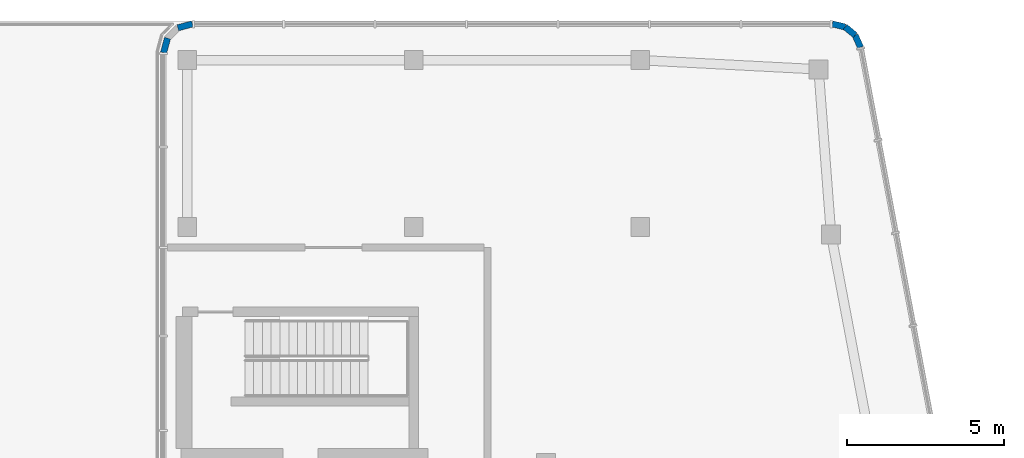
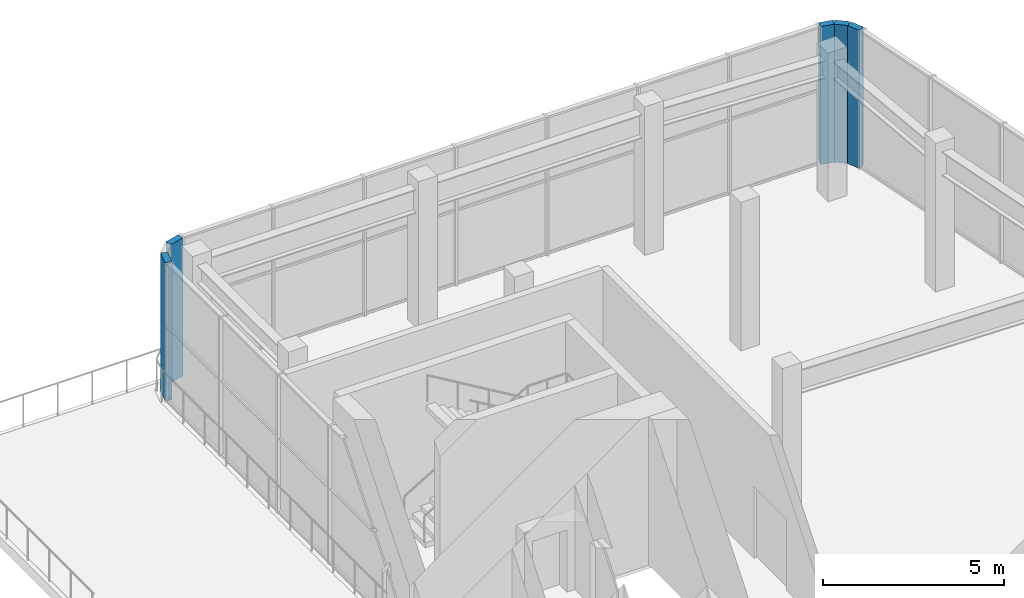
# One storey, part 6 of 8: 5 walls.
"""IFC4 building model written with IfcOpenShell, lengths in metres."""

from ifc_helpers import new_model, si_unit, direction, frame, frame_2d, origin, place, context, subcontext, project, spatial, rectangle, extrude, material, layer, layer_set, type_object, element, save


model = new_model("IFC4")

# Units and contexts
model_context = context("Model", 3, precision=1e-05, world=origin(), true_north=direction((0.0, 1.0)))
body_context = subcontext(model_context, "Body", "Model", "MODEL_VIEW")
ifc_project = project(units=[si_unit("LENGTHUNIT", "METRE"), si_unit("AREAUNIT", "SQUARE_METRE"), si_unit("VOLUMEUNIT", "CUBIC_METRE"), si_unit("PLANEANGLEUNIT", "RADIAN"), si_unit("MASSUNIT", "GRAM", prefix="KILO")], contexts=[model_context])

# Site, building, storey
site_placement = place(None, origin())
site = spatial("IfcSite", under=ifc_project, at=site_placement, CompositionType="ELEMENT")
building_placement = place(site_placement, origin())
building = spatial("IfcBuilding", under=site, at=building_placement, Name="Sheger Commons Tower", CompositionType="ELEMENT")
storey_placement = place(building_placement, frame((0.0, 0.0, 296.60009765625)))
storey = spatial("IfcBuildingStorey", under=building, at=storey_placement, Name="L76", CompositionType="ELEMENT", Elevation=296.60009765625)

# Walls
ifc_material = material(Name="Rendered concrete block masonry, dark grey", Category="masonry")
ifc_layer = layer(ifc_material, 0.199951171875)
ifc_layer_set = layer_set([ifc_layer], Name="FACADE WALL 200")
wall_type = type_object("IfcWallType", Name="FACADE WALL 200", PredefinedType="SOLIDWALL", material=ifc_layer_set)
wall_1_placement = place(storey_placement, frame((43.001953125, 43.2060546875, 0.0), z_axis=(0.0, 0.0, 1.0), x_axis=(-0.40678170573, 0.913525393124, 0.0)))
element("IfcWall", 1, at=wall_1_placement, inside=storey, type_object=wall_type, Name="Facade wall L76", PredefinedType="SOLIDWALL", context=body_context, shape_type="SweptSolid", body=[
    extrude(rectangle(XDim=0.422607421875, YDim=0.199951171875, at=frame_2d((0.21142578125, 0.0))), origin(), (0.0, 0.0, 1.0), 4.64990234375),
])
wall_2_placement = place(storey_placement, frame((42.830078125, 43.592041015625, 0.0), z_axis=(0.0, 0.0, 1.0), x_axis=(-0.771190539797, 0.636604391539, 0.0)))
element("IfcWall", 2, at=wall_2_placement, inside=storey, type_object=wall_type, Name="Facade wall L76", PredefinedType="SOLIDWALL", context=body_context, shape_type="SweptSolid", body=[
    extrude(rectangle(XDim=0.409912109375, YDim=0.199951171875, at=frame_2d((0.205078125, 0.0))), origin(), (0.0, 0.0, 1.0), 4.64990234375),
])
wall_3_placement = place(storey_placement, frame((42.513916015625, 43.85302734375, 0.0), z_axis=(0.0, 0.0, 1.0), x_axis=(-0.973288080424, 0.229587265555, 0.0)))
element("IfcWall", 3, at=wall_3_placement, inside=storey, type_object=wall_type, Name="Facade wall L76", PredefinedType="SOLIDWALL", context=body_context, shape_type="SweptSolid", body=[
    extrude(rectangle(XDim=0.422119140625, YDim=0.199951171875, at=frame_2d((0.2109375, 0.0))), origin(), (0.0, 0.0, 1.0), 4.64990234375),
])
for number, where, z_axis, x_axis, name in (
    (4, (21.762939453125, 43.949951171875, 0.0), (0.0, 0.0, 1.0), (-0.965655254015, -0.259826731483, 0.0), "Facade wall L76"),
    (5, (20.97412109375, 43.498046875, 0.0), (0.0, 0.0, 1.0), (-0.259826731483, -0.965655254015, 0.0), "Facade wall L76"),
):
    element("IfcWall", number, at=place(storey_placement, frame(where, z_axis=z_axis, x_axis=x_axis)), inside=storey, type_object=wall_type, Name=name, PredefinedType="SOLIDWALL", context=body_context, shape_type="SweptSolid", body=[
        extrude(rectangle(XDim=0.477294921875, YDim=0.199951171875, at=frame_2d((0.23876953125, 0.0))), origin(), (0.0, 0.0, 1.0), 4.64990234375),
    ])

save(model, "model.ifc")
